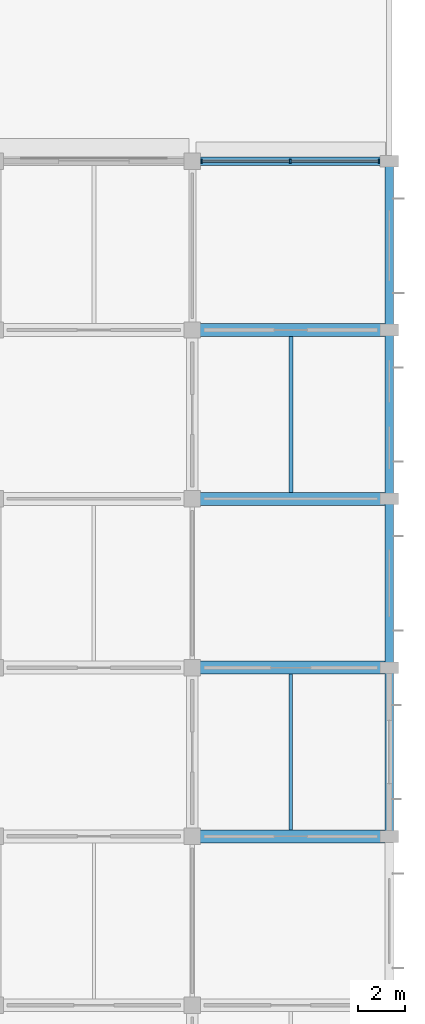
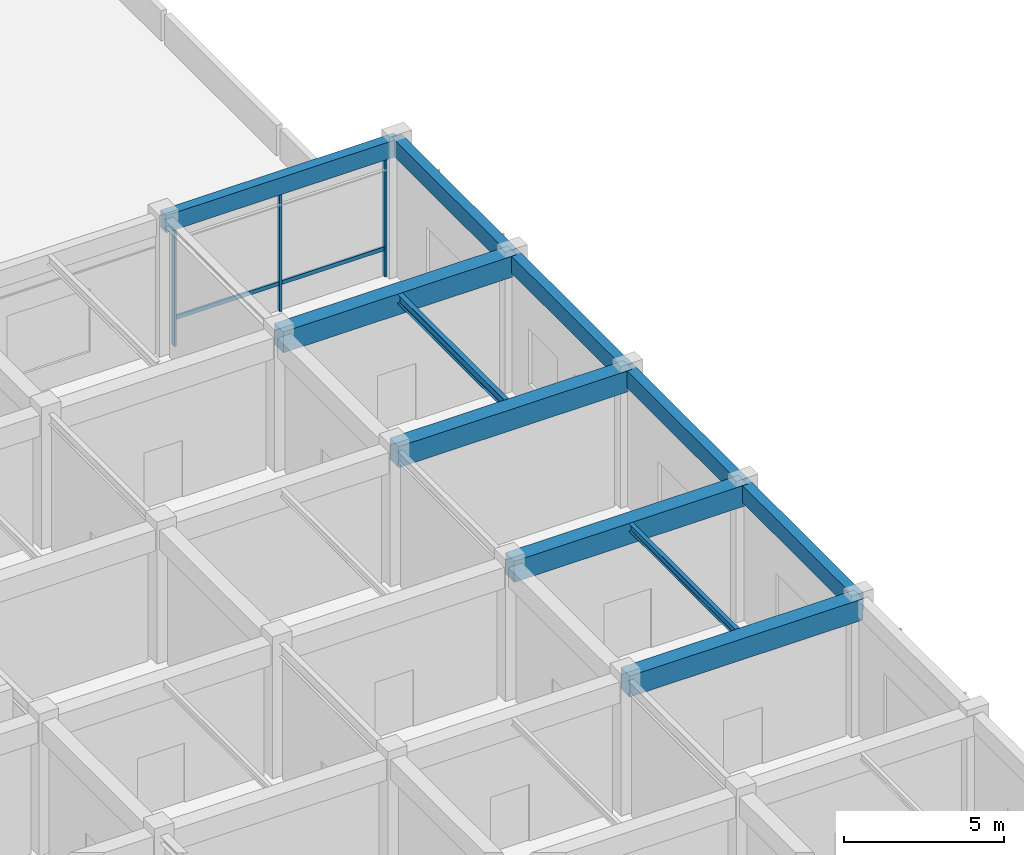
# One storey, part 15 of 41: 11 beams, 5 members, 1 element without a shape of its own.
"""IFC4 building model written with IfcOpenShell, lengths in metres."""

from ifc_helpers import new_model, si_unit, derived_unit, direction, frame, origin, origin_2d, place, context, subcontext, project, spatial, rectangle, i_section, extrude, material, material_profile, profile_set, type_object, element, aggregate, save


model = new_model("IFC4")

# Units and contexts
model_context = context("Model", 3, precision=1e-05, world=origin(), true_north=direction((0.0, 1.0)))
body_context = subcontext(model_context, "Body", "Model", "MODEL_VIEW")
ifc_project = project(units=[si_unit("LENGTHUNIT", "METRE"), si_unit("AREAUNIT", "SQUARE_METRE"), si_unit("VOLUMEUNIT", "CUBIC_METRE"), si_unit("PLANEANGLEUNIT", "RADIAN"), si_unit("MASSUNIT", "GRAM", prefix="KILO"), derived_unit("THERMALTRANSMITTANCEUNIT", [(si_unit("MASSUNIT", "GRAM", prefix="KILO"), 1), (si_unit("TIMEUNIT", "SECOND"), -3), (si_unit("THERMODYNAMICTEMPERATUREUNIT", "KELVIN"), -1)])], contexts=[model_context])

# Site, building, storey
site_placement = place(None, origin())
site = spatial("IfcSite", under=ifc_project, at=site_placement, CompositionType="ELEMENT")
building_placement = place(site_placement, origin())
building = spatial("IfcBuilding", under=site, at=building_placement, Name="Veldstrom Oceanarium and Marine Research Institute", CompositionType="ELEMENT")
storey_placement = place(building_placement, frame((0.0, 0.0, 6.0)))
storey = spatial("IfcBuildingStorey", under=building, at=storey_placement, Name="L01", CompositionType="ELEMENT", Elevation=6.0)

# Curtain wall, members
ifc_material_1 = material(Name="Anodised Aluminium Framing", Category="aluminium")
curtain_wall_type = type_object("IfcCurtainWallType", Name="ARC-CW-CW02", PredefinedType="USERDEFINED", material=ifc_material_1)
curtain_wall_placement = place(storey_placement, origin())
curtain_wall = element("IfcCurtainWall", 1, at=curtain_wall_placement, inside=storey, type_object=curtain_wall_type, Name="Curtain Wall CW02 CW-L01-016", ObjectType="Curtain wall", PredefinedType="USERDEFINED")
ifc_material_2 = material(Name="Anodised Aluminium Framing", Category="aluminium")
ifc_material_profile_1 = material_profile(ifc_material_2, rectangle(XDim=0.074951171875, YDim=0.179931640625, at=origin_2d()), Name="ALU-MUL-75x180")
ifc_profile_set_1 = profile_set([ifc_material_profile_1], Name="Anodised Aluminium Framing")
member_type_1 = type_object("IfcMemberType", Name="ARC-MUL-ML1", PredefinedType="MULLION", material=ifc_profile_set_1)
member_1_placement = place(storey_placement, frame((159.989990234375, 93.60009765625, 0.0), z_axis=(0.0, 0.0, 1.0), x_axis=(1.0, 0.0, 0.0)))
member_1 = element("IfcMember", 2, at=member_1_placement, type_object=member_type_1, Name="Curtain Wall Mullion CW-L01-016-MUL-1", PredefinedType="MULLION", context=body_context, shape_type="SweptSolid", body=[
    extrude(rectangle(XDim=0.074951171875, YDim=0.179931640625, at=origin_2d()), origin(), (0.0, 0.0, 1.0), 5.074951171875),
])
member_2_placement = place(storey_placement, frame((163.77490234375, 93.60009765625, 0.0), z_axis=(0.0, 0.0, 1.0), x_axis=(1.0, 0.0, 0.0)))
member_2 = element("IfcMember", 3, at=member_2_placement, type_object=member_type_1, Name="Curtain Wall Mullion CW-L01-016-MUL-2", PredefinedType="MULLION", context=body_context, shape_type="SweptSolid", body=[
    extrude(rectangle(XDim=0.074951171875, YDim=0.179931640625, at=origin_2d()), origin(), (0.0, 0.0, 1.0), 5.074951171875),
])
member_3_placement = place(storey_placement, frame((167.56005859375, 93.60009765625, 0.0), z_axis=(0.0, 0.0, 1.0), x_axis=(1.0, 0.0, 0.0)))
member_3 = element("IfcMember", 4, at=member_3_placement, type_object=member_type_1, Name="Curtain Wall Mullion CW-L01-016-MUL-3", PredefinedType="MULLION", context=body_context, shape_type="SweptSolid", body=[
    extrude(rectangle(XDim=0.074951171875, YDim=0.179931640625, at=origin_2d()), origin(), (0.0, 0.0, 1.0), 5.074951171875),
])
ifc_material_3 = material(Name="Anodised Aluminium Framing", Category="aluminium")
ifc_material_profile_2 = material_profile(ifc_material_3, rectangle(XDim=0.074951171875, YDim=0.14990234375, at=origin_2d()), Name="ALU-TRN-75x150")
ifc_profile_set_2 = profile_set([ifc_material_profile_2], Name="Anodised Aluminium Framing")
member_type_2 = type_object("IfcMemberType", Name="ARC-TRN-TR1", PredefinedType="USERDEFINED", material=ifc_profile_set_2)
member_4_placement = place(storey_placement, frame((160.030029296875, 93.60009765625, 1.050048828125), z_axis=(1.0, 0.0, 0.0), x_axis=(0.0, 1.0, 0.0)))
member_4 = element("IfcMember", 5, at=member_4_placement, type_object=member_type_2, Name="Curtain Wall Transom CW-L01-016-TRN-1", ObjectType="Transom", PredefinedType="USERDEFINED", context=body_context, shape_type="SweptSolid", body=[
    extrude(rectangle(XDim=0.074951171875, YDim=0.14990234375, at=origin_2d()), origin(), (0.0, 0.0, 1.0), 3.705078125),
])
member_5_placement = place(storey_placement, frame((163.81494140625, 93.60009765625, 1.050048828125), z_axis=(1.0, 0.0, 0.0), x_axis=(0.0, 1.0, 0.0)))
member_5 = element("IfcMember", 6, at=member_5_placement, type_object=member_type_2, Name="Curtain Wall Transom CW-L01-016-TRN-2", ObjectType="Transom", PredefinedType="USERDEFINED", context=body_context, shape_type="SweptSolid", body=[
    extrude(rectangle(XDim=0.074951171875, YDim=0.14990234375, at=origin_2d()), origin(), (0.0, 0.0, 1.0), 3.705078125),
])
aggregate(curtain_wall, [member_1, member_2, member_3, member_4, member_5])

# Beams
ifc_material_4 = material(Name="Concrete C40/50", Category="concrete")
ifc_material_profile_3 = material_profile(ifc_material_4, rectangle(XDim=0.550048828125, YDim=0.800048828125, at=origin_2d()), Name="RC-BM-550x800")
ifc_profile_set_3 = profile_set([ifc_material_profile_3], Name="Concrete C40/50")
beam_type_1 = type_object("IfcBeamType", Name="STR-BM-B02", PredefinedType="BEAM", material=ifc_profile_set_3)
for number, where, z_axis, x_axis, name in (
    (7, (159.60009765625, 64.800048828125, 4.77001953125), (1.0, 0.0, 0.0), (0.0, 1.0, 0.0), "Primary Beam B02 L01-1280"),
    (8, (159.60009765625, 72.0, 4.77001953125), (1.0, 0.0, 0.0), (0.0, 1.0, 0.0), "Primary Beam B02 L01-1281"),
    (9, (159.60009765625, 79.199951171875, 4.77001953125), (1.0, 0.0, 0.0), (0.0, 1.0, 0.0), "Primary Beam B02 L01-1282"),
    (10, (159.60009765625, 86.39990234375, 4.77001953125), (1.0, 0.0, 0.0), (0.0, 1.0, 0.0), "Primary Beam B02 L01-1283"),
):
    element("IfcBeam", number, at=place(storey_placement, frame(where, z_axis=z_axis, x_axis=x_axis)), inside=storey, type_object=beam_type_1, Name=name, PredefinedType="BEAM", context=body_context, shape_type="SweptSolid", body=[
        extrude(rectangle(XDim=0.550048828125, YDim=0.800048828125, at=origin_2d()), origin(), (0.0, 0.0, 1.0), 8.39990234375),
    ])
ifc_material_5 = material(Name="Steel S355JR", Category="steel")
ifc_material_profile_4 = material_profile(ifc_material_5, i_section(OverallWidth=0.169921875, OverallDepth=0.360107421875, WebThickness=0.008056640625, FlangeThickness=0.0126953125, FilletRadius=0.01806640625, at=origin_2d()), Name="IPE 360")
ifc_profile_set_4 = profile_set([ifc_material_profile_4], Name="Steel S355JR")
beam_type_2 = type_object("IfcBeamType", Name="STR-JST-SJ1", PredefinedType="JOIST", material=ifc_profile_set_4)
beam_1_placement = place(storey_placement, frame((163.800048828125, 79.47509765625, 4.989990234375), z_axis=(0.0, 1.0, 0.0), x_axis=(-1.0, 0.0, 0.0)))
element("IfcBeam", 11, at=beam_1_placement, inside=storey, type_object=beam_type_2, Name="Secondary Joist SJ1 L01-1489", PredefinedType="JOIST", context=body_context, shape_type="SweptSolid", body=[
    extrude(i_section(OverallWidth=0.169921875, OverallDepth=0.360107421875, WebThickness=0.008056640625, FlangeThickness=0.0126953125, FilletRadius=0.01806640625, at=origin_2d()), origin(), (0.0, 0.0, 1.0), 6.64990234375),
])
ifc_material_6 = material(Name="Steel S355JR", Category="steel")
ifc_material_profile_5 = material_profile(ifc_material_6, i_section(OverallWidth=0.14990234375, OverallDepth=0.300048828125, WebThickness=0.007080078125, FlangeThickness=0.0107421875, FilletRadius=0.014892578125, at=origin_2d()), Name="IPE 300")
ifc_profile_set_5 = profile_set([ifc_material_profile_5], Name="Steel S355JR")
beam_type_3 = type_object("IfcBeamType", Name="STR-JST-SJ2", PredefinedType="JOIST", material=ifc_profile_set_5)
beam_2_placement = place(storey_placement, frame((163.800048828125, 65.074951171875, 5.02001953125), z_axis=(0.0, 1.0, 0.0), x_axis=(-1.0, 0.0, 0.0)))
element("IfcBeam", 12, at=beam_2_placement, inside=storey, type_object=beam_type_3, Name="Secondary Joist SJ2 L01-1488", PredefinedType="JOIST", context=body_context, shape_type="SweptSolid", body=[
    extrude(i_section(OverallWidth=0.14990234375, OverallDepth=0.300048828125, WebThickness=0.007080078125, FlangeThickness=0.0107421875, FilletRadius=0.014892578125, at=origin_2d()), origin(), (0.0, 0.0, 1.0), 6.650146484375),
])
ifc_material_7 = material(Name="Concrete C40/50", Category="concrete")
ifc_material_profile_6 = material_profile(ifc_material_7, rectangle(XDim=0.35009765625, YDim=0.64990234375, at=origin_2d()), Name="RC-SPN-350x650")
ifc_profile_set_6 = profile_set([ifc_material_profile_6], Name="Concrete C40/50")
beam_type_4 = type_object("IfcBeamType", Name="STR-SPN-SP1", PredefinedType="SPANDREL", material=ifc_profile_set_6)
beam_3_placement = place(storey_placement, frame((159.60009765625, 93.60009765625, 4.844970703125), z_axis=(1.0, 0.0, 0.0), x_axis=(0.0, 1.0, 0.0)))
element("IfcBeam", 13, at=beam_3_placement, inside=storey, type_object=beam_type_4, Name="Perimeter Spandrel SPB1 L01-1284", PredefinedType="SPANDREL", context=body_context, shape_type="SweptSolid", body=[
    extrude(rectangle(XDim=0.35009765625, YDim=0.64990234375, at=origin_2d()), origin(), (0.0, 0.0, 1.0), 8.39990234375),
])
for number, where, z_axis, x_axis, name in (
    (14, (168.0, 64.800048828125, 4.844970703125), (0.0, 1.0, 0.0), (-1.0, 0.0, 0.0), "Perimeter Spandrel SPB1 L01-1428"),
    (15, (168.0, 72.0, 4.844970703125), (0.0, 1.0, 0.0), (-1.0, 0.0, 0.0), "Perimeter Spandrel SPB1 L01-1429"),
    (16, (168.0, 79.199951171875, 4.844970703125), (0.0, 1.0, 0.0), (-1.0, 0.0, 0.0), "Perimeter Spandrel SPB1 L01-1430"),
):
    element("IfcBeam", number, at=place(storey_placement, frame(where, z_axis=z_axis, x_axis=x_axis)), inside=storey, type_object=beam_type_4, Name=name, PredefinedType="SPANDREL", context=body_context, shape_type="SweptSolid", body=[
        extrude(rectangle(XDim=0.35009765625, YDim=0.64990234375, at=origin_2d()), origin(), (0.0, 0.0, 1.0), 7.199951171875),
    ])
beam_4_placement = place(storey_placement, frame((168.0, 86.39990234375, 4.844970703125), z_axis=(0.0, 1.0, 0.0), x_axis=(-1.0, 0.0, 0.0)))
element("IfcBeam", 17, at=beam_4_placement, inside=storey, type_object=beam_type_4, Name="Perimeter Spandrel SPB1 L01-1431", PredefinedType="SPANDREL", context=body_context, shape_type="SweptSolid", body=[
    extrude(rectangle(XDim=0.35009765625, YDim=0.64990234375, at=origin_2d()), origin(), (0.0, 0.0, 1.0), 7.2001953125),
])

save(model, "model.ifc")
